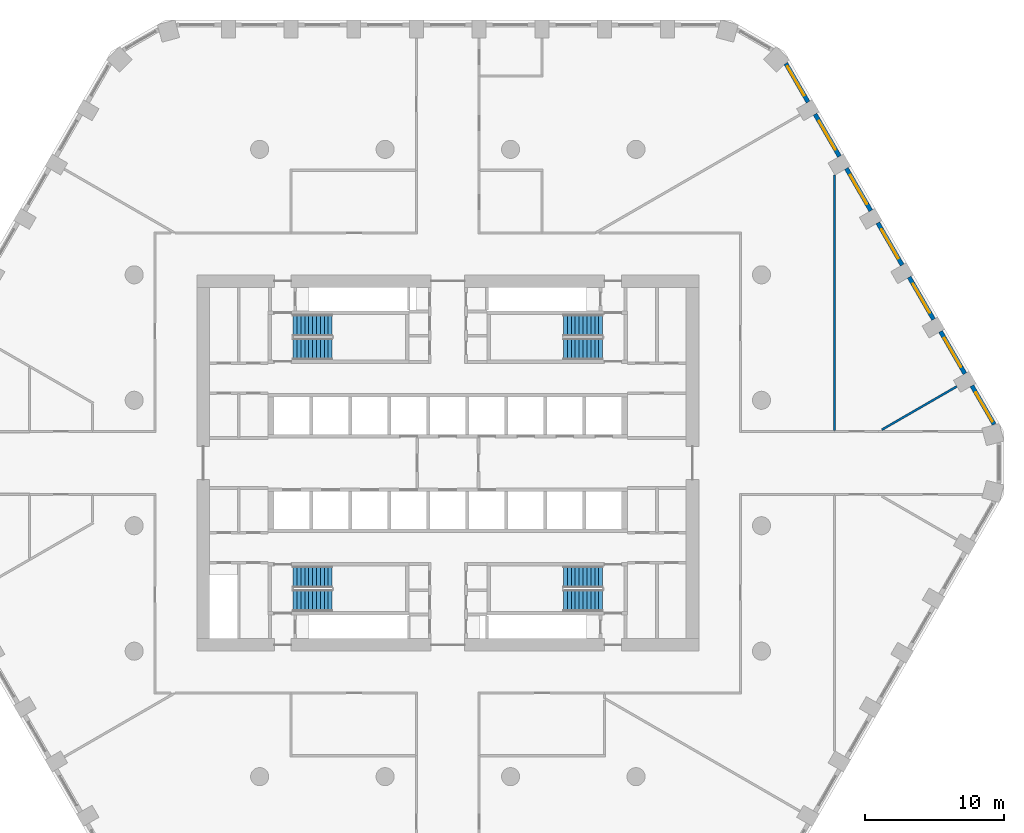
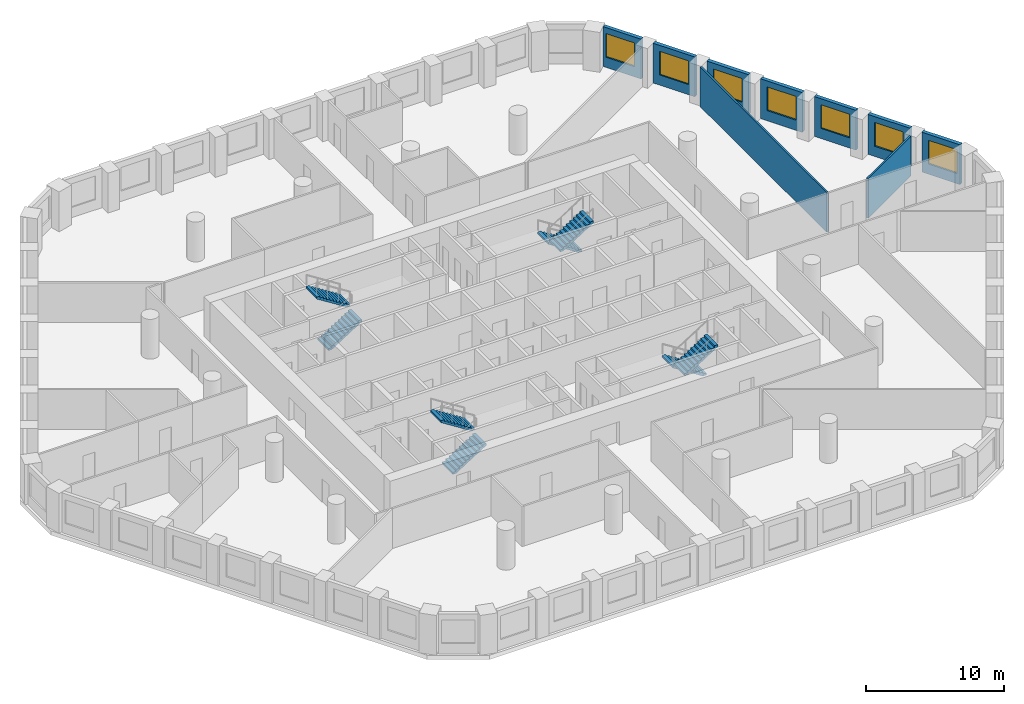
# One storey, part 9 of 10: 9 walls, 8 stair flights, 7 windows, 7 openings, 4 elements without a shape of their own.
"""IFC4 building model written with IfcOpenShell, lengths in metres."""

from ifc_helpers import new_model, si_unit, direction, frame, frame_2d, origin, place, context, subcontext, project, spatial, polyline, rectangle, outline, extrude, material, layer, layer_set, type_object, element, fill, aggregate, save


model = new_model("IFC4")

# Units and contexts
model_context = context("Model", 3, precision=1e-05, world=origin(), true_north=direction((0.0, 1.0)))
body_context = subcontext(model_context, "Body", "Model", "MODEL_VIEW")
ifc_project = project(units=[si_unit("LENGTHUNIT", "METRE"), si_unit("AREAUNIT", "SQUARE_METRE"), si_unit("VOLUMEUNIT", "CUBIC_METRE"), si_unit("PLANEANGLEUNIT", "RADIAN"), si_unit("MASSUNIT", "GRAM", prefix="KILO")], contexts=[model_context])

# Site, building, storey
site_placement = place(None, origin())
site = spatial("IfcSite", under=ifc_project, at=site_placement, CompositionType="ELEMENT")
building_placement = place(site_placement, origin())
building = spatial("IfcBuilding", under=site, at=building_placement, Name="Dhurran Vertical Campus", CompositionType="ELEMENT")
storey_placement = place(building_placement, frame((0.0, 0.0, 112.5)))
storey = spatial("IfcBuildingStorey", under=building, at=storey_placement, Name="L27", CompositionType="ELEMENT", Elevation=112.5)

# Wall, opening, window
ifc_material_1 = material(Name="Precast concrete C50/60", Category="concrete")
ifc_layer_1 = layer(ifc_material_1, 0.300048828125)
ifc_layer_set_1 = layer_set([ifc_layer_1], Name="Precast concrete C50/60")
wall_type_1 = type_object("IfcWallType", Name="Precast spandrel wall 300", PredefinedType="SOLIDWALL", material=ifc_layer_set_1)
wall_1_placement = place(storey_placement, frame((39.1904296875, 2.774169921875, 0.0), z_axis=(0.0, 0.0, 1.0), x_axis=(-0.500004907028, 0.866022570692, 0.0)))
wall_1 = element("IfcWall", 1, at=wall_1_placement, inside=storey, type_object=wall_type_1, Name="EW1 L27.18", PredefinedType="SOLIDWALL", context=body_context, shape_type="SweptSolid", body=[
    extrude(rectangle(XDim=3.1923828125, YDim=0.300048828125, at=frame_2d((1.59619140625, 0.0))), origin(), (0.0, 0.0, 1.0), 3.52490234375),
])
opening_1_placement = place(wall_1_placement, frame((0.242919921875, 0.0, 0.89990234375)))
opening_1 = element("IfcOpeningElement", 2, at=opening_1_placement, cuts=wall_1, Name="Opening WT1", PredefinedType="OPENING", context=body_context, shape_type="SweptSolid", body=[
    extrude(rectangle(XDim=2.39990234375, YDim=2.10009765625, at=frame_2d((1.199951171875, 1.050048828125))), frame((0.0, 0.159912109375, 0.0), z_axis=(0.0, -1.0, 0.0), x_axis=(1.0, 0.0, 0.0)), (0.0, 0.0, 1.0), 0.320068359375),
])
ifc_material_2 = material(Name="Aluminium frame with solar-control glass", Category="aluminium")
window_type = type_object("IfcWindowType", Name="Punched window 2400 x 2100", PartitioningType="SINGLE_PANEL", PredefinedType="WINDOW", material=ifc_material_2)
window_1_placement = place(opening_1_placement, origin())
window_1 = element("IfcWindow", 3, at=window_1_placement, inside=storey, type_object=window_type, Name="WT1 L27.18", OverallHeight=2.10009765625, OverallWidth=2.39990234375, PartitioningType="SINGLE_PANEL", PredefinedType="WINDOW", context=body_context, shape_type="SweptSolid", body=[
    extrude(rectangle(XDim=2.39990234375, YDim=2.10009765625, at=frame_2d((1.199951171875, 1.050048828125))), frame((0.0, 0.030029296875, 0.0), z_axis=(0.0, -1.0, 0.0), x_axis=(1.0, 0.0, 0.0)), (0.0, 0.0, 1.0), 0.06005859375),
])
fill(opening_1, window_1)

wall_2_placement = place(storey_placement, frame((37.09375, 6.405517578125, 0.0), z_axis=(0.0, 0.0, 1.0), x_axis=(-0.499996256241, 0.866027565234, 0.0)))
wall_2 = element("IfcWall", 4, at=wall_2_placement, inside=storey, type_object=wall_type_1, Name="EW1 L27.19", PredefinedType="SOLIDWALL", context=body_context, shape_type="SweptSolid", body=[
    extrude(rectangle(XDim=3.4990234375, YDim=0.300048828125, at=frame_2d((1.74951171875, 0.0))), origin(), (0.0, 0.0, 1.0), 3.52490234375),
])
opening_2_placement = place(wall_2_placement, frame((0.549560546875, 0.0, 0.89990234375)))
opening_2 = element("IfcOpeningElement", 5, at=opening_2_placement, cuts=wall_2, Name="Opening WT1", PredefinedType="OPENING", context=body_context, shape_type="SweptSolid", body=[
    extrude(rectangle(XDim=2.39990234375, YDim=2.10009765625, at=frame_2d((1.199951171875, 1.050048828125))), frame((0.0, 0.159912109375, 0.0), z_axis=(0.0, -1.0, 0.0), x_axis=(1.0, 0.0, 0.0)), (0.0, 0.0, 1.0), 0.320068359375),
])
window_2_placement = place(opening_2_placement, origin())
window_2 = element("IfcWindow", 6, at=window_2_placement, inside=storey, type_object=window_type, Name="WT1 L27.19", OverallHeight=2.10009765625, OverallWidth=2.39990234375, PartitioningType="SINGLE_PANEL", PredefinedType="WINDOW", context=body_context, shape_type="SweptSolid", body=[
    extrude(rectangle(XDim=2.39990234375, YDim=2.10009765625, at=frame_2d((1.199951171875, 1.050048828125))), frame((0.0, 0.030029296875, 0.0), z_axis=(0.0, -1.0, 0.0), x_axis=(1.0, 0.0, 0.0)), (0.0, 0.0, 1.0), 0.06005859375),
])
fill(opening_2, window_2)

wall_3_placement = place(storey_placement, frame((34.84375, 10.302734375, 0.0), z_axis=(0.0, 0.0, 1.0), x_axis=(-0.499996256241, 0.866027565234, 0.0)))
wall_3 = element("IfcWall", 7, at=wall_3_placement, inside=storey, type_object=wall_type_1, Name="EW1 L27.20", PredefinedType="SOLIDWALL", context=body_context, shape_type="SweptSolid", body=[
    extrude(rectangle(XDim=3.4990234375, YDim=0.300048828125, at=frame_2d((1.74951171875, 0.0))), origin(), (0.0, 0.0, 1.0), 3.52490234375),
])
opening_3_placement = place(wall_3_placement, frame((0.549560546875, 0.0, 0.89990234375)))
opening_3 = element("IfcOpeningElement", 8, at=opening_3_placement, cuts=wall_3, Name="Opening WT1", PredefinedType="OPENING", context=body_context, shape_type="SweptSolid", body=[
    extrude(rectangle(XDim=2.39990234375, YDim=2.10009765625, at=frame_2d((1.199951171875, 1.050048828125))), frame((0.0, 0.159912109375, 0.0), z_axis=(0.0, -1.0, 0.0), x_axis=(1.0, 0.0, 0.0)), (0.0, 0.0, 1.0), 0.320068359375),
])
window_3_placement = place(opening_3_placement, origin())
window_3 = element("IfcWindow", 9, at=window_3_placement, inside=storey, type_object=window_type, Name="WT1 L27.20", OverallHeight=2.10009765625, OverallWidth=2.39990234375, PartitioningType="SINGLE_PANEL", PredefinedType="WINDOW", context=body_context, shape_type="SweptSolid", body=[
    extrude(rectangle(XDim=2.39990234375, YDim=2.10009765625, at=frame_2d((1.199951171875, 1.050048828125))), frame((0.0, 0.030029296875, 0.0), z_axis=(0.0, -1.0, 0.0), x_axis=(1.0, 0.0, 0.0)), (0.0, 0.0, 1.0), 0.06005859375),
])
fill(opening_3, window_3)

wall_4_placement = place(storey_placement, frame((32.59375, 14.19970703125, 0.0), z_axis=(0.0, 0.0, 1.0), x_axis=(-0.499996256241, 0.866027565234, 0.0)))
wall_4 = element("IfcWall", 10, at=wall_4_placement, inside=storey, type_object=wall_type_1, Name="EW1 L27.21", PredefinedType="SOLIDWALL", context=body_context, shape_type="SweptSolid", body=[
    extrude(rectangle(XDim=3.4990234375, YDim=0.300048828125, at=frame_2d((1.74951171875, 0.0))), origin(), (0.0, 0.0, 1.0), 3.52490234375),
])
opening_4_placement = place(wall_4_placement, frame((0.549560546875, 0.0, 0.89990234375)))
opening_4 = element("IfcOpeningElement", 11, at=opening_4_placement, cuts=wall_4, Name="Opening WT1", PredefinedType="OPENING", context=body_context, shape_type="SweptSolid", body=[
    extrude(rectangle(XDim=2.39990234375, YDim=2.10009765625, at=frame_2d((1.199951171875, 1.050048828125))), frame((0.0, 0.159912109375, 0.0), z_axis=(0.0, -1.0, 0.0), x_axis=(1.0, 0.0, 0.0)), (0.0, 0.0, 1.0), 0.320068359375),
])
window_4_placement = place(opening_4_placement, origin())
window_4 = element("IfcWindow", 12, at=window_4_placement, inside=storey, type_object=window_type, Name="WT1 L27.21", OverallHeight=2.10009765625, OverallWidth=2.39990234375, PartitioningType="SINGLE_PANEL", PredefinedType="WINDOW", context=body_context, shape_type="SweptSolid", body=[
    extrude(rectangle(XDim=2.39990234375, YDim=2.10009765625, at=frame_2d((1.199951171875, 1.050048828125))), frame((0.0, 0.030029296875, 0.0), z_axis=(0.0, -1.0, 0.0), x_axis=(1.0, 0.0, 0.0)), (0.0, 0.0, 1.0), 0.06005859375),
])
fill(opening_4, window_4)

wall_5_placement = place(storey_placement, frame((30.34375, 18.096923828125, 0.0), z_axis=(0.0, 0.0, 1.0), x_axis=(-0.499996256241, 0.866027565234, 0.0)))
wall_5 = element("IfcWall", 13, at=wall_5_placement, inside=storey, type_object=wall_type_1, Name="EW1 L27.22", PredefinedType="SOLIDWALL", context=body_context, shape_type="SweptSolid", body=[
    extrude(rectangle(XDim=3.4990234375, YDim=0.300048828125, at=frame_2d((1.74951171875, 0.0))), origin(), (0.0, 0.0, 1.0), 3.52490234375),
])
opening_5_placement = place(wall_5_placement, frame((0.549560546875, 0.0, 0.89990234375)))
opening_5 = element("IfcOpeningElement", 14, at=opening_5_placement, cuts=wall_5, Name="Opening WT1", PredefinedType="OPENING", context=body_context, shape_type="SweptSolid", body=[
    extrude(rectangle(XDim=2.39990234375, YDim=2.10009765625, at=frame_2d((1.199951171875, 1.050048828125))), frame((0.0, 0.159912109375, 0.0), z_axis=(0.0, -1.0, 0.0), x_axis=(1.0, 0.0, 0.0)), (0.0, 0.0, 1.0), 0.320068359375),
])
window_5_placement = place(opening_5_placement, origin())
window_5 = element("IfcWindow", 15, at=window_5_placement, inside=storey, type_object=window_type, Name="WT1 L27.22", OverallHeight=2.10009765625, OverallWidth=2.39990234375, PartitioningType="SINGLE_PANEL", PredefinedType="WINDOW", context=body_context, shape_type="SweptSolid", body=[
    extrude(rectangle(XDim=2.39990234375, YDim=2.10009765625, at=frame_2d((1.199951171875, 1.050048828125))), frame((0.0, 0.030029296875, 0.0), z_axis=(0.0, -1.0, 0.0), x_axis=(1.0, 0.0, 0.0)), (0.0, 0.0, 1.0), 0.06005859375),
])
fill(opening_5, window_5)

wall_6_placement = place(storey_placement, frame((28.09375, 21.993896484375, 0.0), z_axis=(0.0, 0.0, 1.0), x_axis=(-0.499996256241, 0.866027565234, 0.0)))
wall_6 = element("IfcWall", 16, at=wall_6_placement, inside=storey, type_object=wall_type_1, Name="EW1 L27.23", PredefinedType="SOLIDWALL", context=body_context, shape_type="SweptSolid", body=[
    extrude(rectangle(XDim=3.4990234375, YDim=0.300048828125, at=frame_2d((1.74951171875, 0.0))), origin(), (0.0, 0.0, 1.0), 3.52490234375),
])
opening_6_placement = place(wall_6_placement, frame((0.549560546875, 0.0, 0.89990234375)))
opening_6 = element("IfcOpeningElement", 17, at=opening_6_placement, cuts=wall_6, Name="Opening WT1", PredefinedType="OPENING", context=body_context, shape_type="SweptSolid", body=[
    extrude(rectangle(XDim=2.39990234375, YDim=2.10009765625, at=frame_2d((1.199951171875, 1.050048828125))), frame((0.0, 0.159912109375, 0.0), z_axis=(0.0, -1.0, 0.0), x_axis=(1.0, 0.0, 0.0)), (0.0, 0.0, 1.0), 0.320068359375),
])
window_6_placement = place(opening_6_placement, origin())
window_6 = element("IfcWindow", 18, at=window_6_placement, inside=storey, type_object=window_type, Name="WT1 L27.23", OverallHeight=2.10009765625, OverallWidth=2.39990234375, PartitioningType="SINGLE_PANEL", PredefinedType="WINDOW", context=body_context, shape_type="SweptSolid", body=[
    extrude(rectangle(XDim=2.39990234375, YDim=2.10009765625, at=frame_2d((1.199951171875, 1.050048828125))), frame((0.0, 0.030029296875, 0.0), z_axis=(0.0, -1.0, 0.0), x_axis=(1.0, 0.0, 0.0)), (0.0, 0.0, 1.0), 0.06005859375),
])
fill(opening_6, window_6)

wall_7_placement = place(storey_placement, frame((25.84375, 25.89111328125, 0.0), z_axis=(0.0, 0.0, 1.0), x_axis=(-0.500004907028, 0.866022570692, 0.0)))
wall_7 = element("IfcWall", 19, at=wall_7_placement, inside=storey, type_object=wall_type_1, Name="EW1 L27.24", PredefinedType="SOLIDWALL", context=body_context, shape_type="SweptSolid", body=[
    extrude(rectangle(XDim=3.1923828125, YDim=0.300048828125, at=frame_2d((1.59619140625, 0.0))), origin(), (0.0, 0.0, 1.0), 3.52490234375),
])
opening_7_placement = place(wall_7_placement, frame((0.549560546875, 0.0, 0.89990234375)))
opening_7 = element("IfcOpeningElement", 20, at=opening_7_placement, cuts=wall_7, Name="Opening WT1", PredefinedType="OPENING", context=body_context, shape_type="SweptSolid", body=[
    extrude(rectangle(XDim=2.39990234375, YDim=2.10009765625, at=frame_2d((1.199951171875, 1.050048828125))), frame((0.0, 0.159912109375, 0.0), z_axis=(0.0, -1.0, 0.0), x_axis=(1.0, 0.0, 0.0)), (0.0, 0.0, 1.0), 0.320068359375),
])
window_7_placement = place(opening_7_placement, origin())
window_7 = element("IfcWindow", 21, at=window_7_placement, inside=storey, type_object=window_type, Name="WT1 L27.24", OverallHeight=2.10009765625, OverallWidth=2.39990234375, PartitioningType="SINGLE_PANEL", PredefinedType="WINDOW", context=body_context, shape_type="SweptSolid", body=[
    extrude(rectangle(XDim=2.39990234375, YDim=2.10009765625, at=frame_2d((1.199951171875, 1.050048828125))), frame((0.0, 0.030029296875, 0.0), z_axis=(0.0, -1.0, 0.0), x_axis=(1.0, 0.0, 0.0)), (0.0, 0.0, 1.0), 0.06005859375),
])
fill(opening_7, window_7)

# Walls
ifc_material_3 = material(Name="Gypsum board partition on steel studs", Category="steel")
ifc_layer_2 = layer(ifc_material_3, 0.14990234375)
ifc_layer_set_2 = layer_set([ifc_layer_2], Name="Gypsum board partition on steel studs")
wall_type_2 = type_object("IfcWallType", Name="fl-PW-150 fixed partition", PredefinedType="PARTITIONING", material=ifc_layer_set_2)
wall_8_placement = place(storey_placement, frame((27.75, 20.6494140625, 0.0), z_axis=(0.0, 0.0, 1.0), x_axis=(0.0, -1.0, 0.0)))
element("IfcWall", 22, at=wall_8_placement, inside=storey, type_object=wall_type_2, Name="Partition 27-58", PredefinedType="PARTITIONING", context=body_context, shape_type="SweptSolid", body=[
    extrude(rectangle(XDim=18.324462890625, YDim=0.14990234375, at=frame_2d((9.162109375, 0.0))), origin(), (0.0, 0.0, 1.0), 3.52490234375),
])
wall_9_placement = place(storey_placement, frame((36.50390625, 5.4873046875, 0.0), z_axis=(0.0, 0.0, 1.0), x_axis=(-0.866007197923, -0.500031532152, 0.0)))
element("IfcWall", 23, at=wall_9_placement, inside=storey, type_object=wall_type_2, Name="Partition 27-62", PredefinedType="PARTITIONING", context=body_context, shape_type="SweptSolid", body=[
    extrude(rectangle(XDim=6.19921875, YDim=0.14990234375, at=frame_2d((3.099609375, 0.0))), origin(), (0.0, 0.0, 1.0), 3.52490234375),
])

# Stair, stair flights
ifc_material_4 = material(Name="Concrete C40/50", Category="concrete")
stair_type = type_object("IfcStairType", Name="co-ST-CORE", PredefinedType="HALF_TURN_STAIR", material=ifc_material_4)
stair_1_placement = place(storey_placement, origin())
stair_1 = element("IfcStair", 24, at=stair_1_placement, inside=storey, type_object=stair_type, Name="L27 Protected exit stair ST1", PredefinedType="HALF_TURN_STAIR")
ifc_material_5 = material(Name="Concrete C40/50", Category="concrete")
stair_flight_type = type_object("IfcStairFlightType", Name="co-SFL-RC", PredefinedType="STRAIGHT", material=ifc_material_5)
stair_flight_1_placement = place(storey_placement, frame((-11.10009765625, 8.175048828125, 0.0), z_axis=(0.0, 0.0, 1.0), x_axis=(1.0, 0.0, 0.0)))
stair_flight_1 = element("IfcStairFlight", 25, at=stair_flight_1_placement, type_object=stair_flight_type, Name="ST1 flight 1", NumberOfRisers=11, NumberOfTreads=10, PredefinedType="STRAIGHT", RiserHeight=0.177272727, TreadLength=0.28, context=body_context, shape_type="SweptSolid", body=[
    extrude(outline(polyline([(0.0, 0.0), (0.0, 0.17724609375), (0.280029296875, 0.17724609375), (0.280029296875, 0.3544921875), (0.56005859375, 0.3544921875), (0.56005859375, 0.53173828125), (0.840087890625, 0.53173828125), (0.840087890625, 0.708984375), (1.1201171875, 0.708984375), (1.1201171875, 0.886474609375), (1.39990234375, 0.886474609375), (1.39990234375, 1.063720703125), (1.679931640625, 1.063720703125), (1.679931640625, 1.240966796875), (1.9599609375, 1.240966796875), (1.9599609375, 1.418212890625), (2.239990234375, 1.418212890625), (2.239990234375, 1.595458984375), (2.52001953125, 1.595458984375), (2.52001953125, 1.772705078125), (2.800048828125, 1.772705078125), (2.800048828125, 1.949951171875), (2.800048828125, 1.59521484375), (0.2802734375, 0.0), (0.0, 0.0)])), frame((0.0, 0.77490234375, 0.0), z_axis=(0.0, -1.0, 0.0), x_axis=(1.0, 0.0, 0.0)), (0.0, 0.0, 1.0), 1.550048828125),
])
stair_flight_2_placement = place(storey_placement, frame((-8.300048828125, 9.875, 1.949951171875), z_axis=(0.0, 0.0, 1.0), x_axis=(-1.0, 0.0, 0.0)))
stair_flight_2 = element("IfcStairFlight", 26, at=stair_flight_2_placement, type_object=stair_flight_type, Name="ST1 flight 2", NumberOfRisers=11, NumberOfTreads=10, PredefinedType="STRAIGHT", RiserHeight=0.177272727, TreadLength=0.28, context=body_context, shape_type="SweptSolid", body=[
    extrude(outline(polyline([(0.0, 0.0), (0.0, 0.17724609375), (0.280029296875, 0.17724609375), (0.280029296875, 0.3544921875), (0.56005859375, 0.3544921875), (0.56005859375, 0.53173828125), (0.840087890625, 0.53173828125), (0.840087890625, 0.708984375), (1.1201171875, 0.708984375), (1.1201171875, 0.886474609375), (1.39990234375, 0.886474609375), (1.39990234375, 1.063720703125), (1.679931640625, 1.063720703125), (1.679931640625, 1.240966796875), (1.9599609375, 1.240966796875), (1.9599609375, 1.418212890625), (2.239990234375, 1.418212890625), (2.239990234375, 1.595458984375), (2.52001953125, 1.595458984375), (2.52001953125, 1.772705078125), (2.800048828125, 1.772705078125), (2.800048828125, 1.949951171875), (2.800048828125, 1.59521484375), (0.2802734375, 0.0), (0.0, 0.0)])), frame((0.0, 0.77490234375, 0.0), z_axis=(0.0, -1.0, 0.0), x_axis=(1.0, 0.0, 0.0)), (0.0, 0.0, 1.0), 1.550048828125),
])
aggregate(stair_1, [stair_flight_1, stair_flight_2])

stair_2_placement = place(storey_placement, origin())
stair_2 = element("IfcStair", 27, at=stair_2_placement, inside=storey, type_object=stair_type, Name="L27 Protected exit stair ST2", PredefinedType="HALF_TURN_STAIR")
stair_flight_3_placement = place(storey_placement, frame((11.10009765625, 9.875, 0.0), z_axis=(0.0, 0.0, 1.0), x_axis=(-1.0, 0.0, 0.0)))
stair_flight_3 = element("IfcStairFlight", 28, at=stair_flight_3_placement, type_object=stair_flight_type, Name="ST2 flight 1", NumberOfRisers=11, NumberOfTreads=10, PredefinedType="STRAIGHT", RiserHeight=0.177272727, TreadLength=0.28, context=body_context, shape_type="SweptSolid", body=[
    extrude(outline(polyline([(0.0, 0.0), (0.0, 0.17724609375), (0.280029296875, 0.17724609375), (0.280029296875, 0.3544921875), (0.56005859375, 0.3544921875), (0.56005859375, 0.53173828125), (0.840087890625, 0.53173828125), (0.840087890625, 0.708984375), (1.1201171875, 0.708984375), (1.1201171875, 0.886474609375), (1.39990234375, 0.886474609375), (1.39990234375, 1.063720703125), (1.679931640625, 1.063720703125), (1.679931640625, 1.240966796875), (1.9599609375, 1.240966796875), (1.9599609375, 1.418212890625), (2.239990234375, 1.418212890625), (2.239990234375, 1.595458984375), (2.52001953125, 1.595458984375), (2.52001953125, 1.772705078125), (2.800048828125, 1.772705078125), (2.800048828125, 1.949951171875), (2.800048828125, 1.59521484375), (0.2802734375, 0.0), (0.0, 0.0)])), frame((0.0, 0.77490234375, 0.0), z_axis=(0.0, -1.0, 0.0), x_axis=(1.0, 0.0, 0.0)), (0.0, 0.0, 1.0), 1.550048828125),
])
stair_flight_4_placement = place(storey_placement, frame((8.300048828125, 8.175048828125, 1.949951171875), z_axis=(0.0, 0.0, 1.0), x_axis=(1.0, 0.0, 0.0)))
stair_flight_4 = element("IfcStairFlight", 29, at=stair_flight_4_placement, type_object=stair_flight_type, Name="ST2 flight 2", NumberOfRisers=11, NumberOfTreads=10, PredefinedType="STRAIGHT", RiserHeight=0.177272727, TreadLength=0.28, context=body_context, shape_type="SweptSolid", body=[
    extrude(outline(polyline([(0.0, 0.0), (0.0, 0.17724609375), (0.280029296875, 0.17724609375), (0.280029296875, 0.3544921875), (0.56005859375, 0.3544921875), (0.56005859375, 0.53173828125), (0.840087890625, 0.53173828125), (0.840087890625, 0.708984375), (1.1201171875, 0.708984375), (1.1201171875, 0.886474609375), (1.39990234375, 0.886474609375), (1.39990234375, 1.063720703125), (1.679931640625, 1.063720703125), (1.679931640625, 1.240966796875), (1.9599609375, 1.240966796875), (1.9599609375, 1.418212890625), (2.239990234375, 1.418212890625), (2.239990234375, 1.595458984375), (2.52001953125, 1.595458984375), (2.52001953125, 1.772705078125), (2.800048828125, 1.772705078125), (2.800048828125, 1.949951171875), (2.800048828125, 1.59521484375), (0.2802734375, 0.0), (0.0, 0.0)])), frame((0.0, 0.77490234375, 0.0), z_axis=(0.0, -1.0, 0.0), x_axis=(1.0, 0.0, 0.0)), (0.0, 0.0, 1.0), 1.550048828125),
])
aggregate(stair_2, [stair_flight_3, stair_flight_4])

stair_3_placement = place(storey_placement, origin())
stair_3 = element("IfcStair", 30, at=stair_3_placement, inside=storey, type_object=stair_type, Name="L27 Protected exit stair ST3", PredefinedType="HALF_TURN_STAIR")
stair_flight_5_placement = place(storey_placement, frame((-11.10009765625, -9.875, 0.0), z_axis=(0.0, 0.0, 1.0), x_axis=(1.0, 0.0, 0.0)))
stair_flight_5 = element("IfcStairFlight", 31, at=stair_flight_5_placement, type_object=stair_flight_type, Name="ST3 flight 1", NumberOfRisers=11, NumberOfTreads=10, PredefinedType="STRAIGHT", RiserHeight=0.177272727, TreadLength=0.28, context=body_context, shape_type="SweptSolid", body=[
    extrude(outline(polyline([(0.0, 0.0), (0.0, 0.17724609375), (0.280029296875, 0.17724609375), (0.280029296875, 0.3544921875), (0.56005859375, 0.3544921875), (0.56005859375, 0.53173828125), (0.840087890625, 0.53173828125), (0.840087890625, 0.708984375), (1.1201171875, 0.708984375), (1.1201171875, 0.886474609375), (1.39990234375, 0.886474609375), (1.39990234375, 1.063720703125), (1.679931640625, 1.063720703125), (1.679931640625, 1.240966796875), (1.9599609375, 1.240966796875), (1.9599609375, 1.418212890625), (2.239990234375, 1.418212890625), (2.239990234375, 1.595458984375), (2.52001953125, 1.595458984375), (2.52001953125, 1.772705078125), (2.800048828125, 1.772705078125), (2.800048828125, 1.949951171875), (2.800048828125, 1.59521484375), (0.2802734375, 0.0), (0.0, 0.0)])), frame((0.0, 0.77490234375, 0.0), z_axis=(0.0, -1.0, 0.0), x_axis=(1.0, 0.0, 0.0)), (0.0, 0.0, 1.0), 1.550048828125),
])
stair_flight_6_placement = place(storey_placement, frame((-8.300048828125, -8.175048828125, 1.949951171875), z_axis=(0.0, 0.0, 1.0), x_axis=(-1.0, 0.0, 0.0)))
stair_flight_6 = element("IfcStairFlight", 32, at=stair_flight_6_placement, type_object=stair_flight_type, Name="ST3 flight 2", NumberOfRisers=11, NumberOfTreads=10, PredefinedType="STRAIGHT", RiserHeight=0.177272727, TreadLength=0.28, context=body_context, shape_type="SweptSolid", body=[
    extrude(outline(polyline([(0.0, 0.0), (0.0, 0.17724609375), (0.280029296875, 0.17724609375), (0.280029296875, 0.3544921875), (0.56005859375, 0.3544921875), (0.56005859375, 0.53173828125), (0.840087890625, 0.53173828125), (0.840087890625, 0.708984375), (1.1201171875, 0.708984375), (1.1201171875, 0.886474609375), (1.39990234375, 0.886474609375), (1.39990234375, 1.063720703125), (1.679931640625, 1.063720703125), (1.679931640625, 1.240966796875), (1.9599609375, 1.240966796875), (1.9599609375, 1.418212890625), (2.239990234375, 1.418212890625), (2.239990234375, 1.595458984375), (2.52001953125, 1.595458984375), (2.52001953125, 1.772705078125), (2.800048828125, 1.772705078125), (2.800048828125, 1.949951171875), (2.800048828125, 1.59521484375), (0.2802734375, 0.0), (0.0, 0.0)])), frame((0.0, 0.77490234375, 0.0), z_axis=(0.0, -1.0, 0.0), x_axis=(1.0, 0.0, 0.0)), (0.0, 0.0, 1.0), 1.550048828125),
])
aggregate(stair_3, [stair_flight_5, stair_flight_6])

stair_4_placement = place(storey_placement, origin())
stair_4 = element("IfcStair", 33, at=stair_4_placement, inside=storey, type_object=stair_type, Name="L27 Protected exit stair ST4", PredefinedType="HALF_TURN_STAIR")
stair_flight_7_placement = place(storey_placement, frame((11.10009765625, -8.175048828125, 0.0), z_axis=(0.0, 0.0, 1.0), x_axis=(-1.0, 0.0, 0.0)))
stair_flight_7 = element("IfcStairFlight", 34, at=stair_flight_7_placement, type_object=stair_flight_type, Name="ST4 flight 1", NumberOfRisers=11, NumberOfTreads=10, PredefinedType="STRAIGHT", RiserHeight=0.177272727, TreadLength=0.28, context=body_context, shape_type="SweptSolid", body=[
    extrude(outline(polyline([(0.0, 0.0), (0.0, 0.17724609375), (0.280029296875, 0.17724609375), (0.280029296875, 0.3544921875), (0.56005859375, 0.3544921875), (0.56005859375, 0.53173828125), (0.840087890625, 0.53173828125), (0.840087890625, 0.708984375), (1.1201171875, 0.708984375), (1.1201171875, 0.886474609375), (1.39990234375, 0.886474609375), (1.39990234375, 1.063720703125), (1.679931640625, 1.063720703125), (1.679931640625, 1.240966796875), (1.9599609375, 1.240966796875), (1.9599609375, 1.418212890625), (2.239990234375, 1.418212890625), (2.239990234375, 1.595458984375), (2.52001953125, 1.595458984375), (2.52001953125, 1.772705078125), (2.800048828125, 1.772705078125), (2.800048828125, 1.949951171875), (2.800048828125, 1.59521484375), (0.2802734375, 0.0), (0.0, 0.0)])), frame((0.0, 0.77490234375, 0.0), z_axis=(0.0, -1.0, 0.0), x_axis=(1.0, 0.0, 0.0)), (0.0, 0.0, 1.0), 1.550048828125),
])
stair_flight_8_placement = place(storey_placement, frame((8.300048828125, -9.875, 1.949951171875), z_axis=(0.0, 0.0, 1.0), x_axis=(1.0, 0.0, 0.0)))
stair_flight_8 = element("IfcStairFlight", 35, at=stair_flight_8_placement, type_object=stair_flight_type, Name="ST4 flight 2", NumberOfRisers=11, NumberOfTreads=10, PredefinedType="STRAIGHT", RiserHeight=0.177272727, TreadLength=0.28, context=body_context, shape_type="SweptSolid", body=[
    extrude(outline(polyline([(0.0, 0.0), (0.0, 0.17724609375), (0.280029296875, 0.17724609375), (0.280029296875, 0.3544921875), (0.56005859375, 0.3544921875), (0.56005859375, 0.53173828125), (0.840087890625, 0.53173828125), (0.840087890625, 0.708984375), (1.1201171875, 0.708984375), (1.1201171875, 0.886474609375), (1.39990234375, 0.886474609375), (1.39990234375, 1.063720703125), (1.679931640625, 1.063720703125), (1.679931640625, 1.240966796875), (1.9599609375, 1.240966796875), (1.9599609375, 1.418212890625), (2.239990234375, 1.418212890625), (2.239990234375, 1.595458984375), (2.52001953125, 1.595458984375), (2.52001953125, 1.772705078125), (2.800048828125, 1.772705078125), (2.800048828125, 1.949951171875), (2.800048828125, 1.59521484375), (0.2802734375, 0.0), (0.0, 0.0)])), frame((0.0, 0.77490234375, 0.0), z_axis=(0.0, -1.0, 0.0), x_axis=(1.0, 0.0, 0.0)), (0.0, 0.0, 1.0), 1.550048828125),
])
aggregate(stair_4, [stair_flight_7, stair_flight_8])

save(model, "model.ifc")
